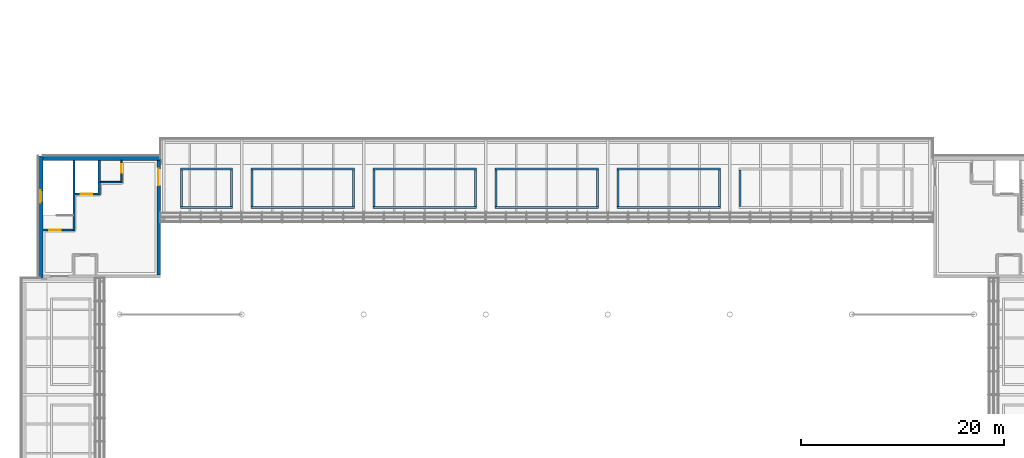
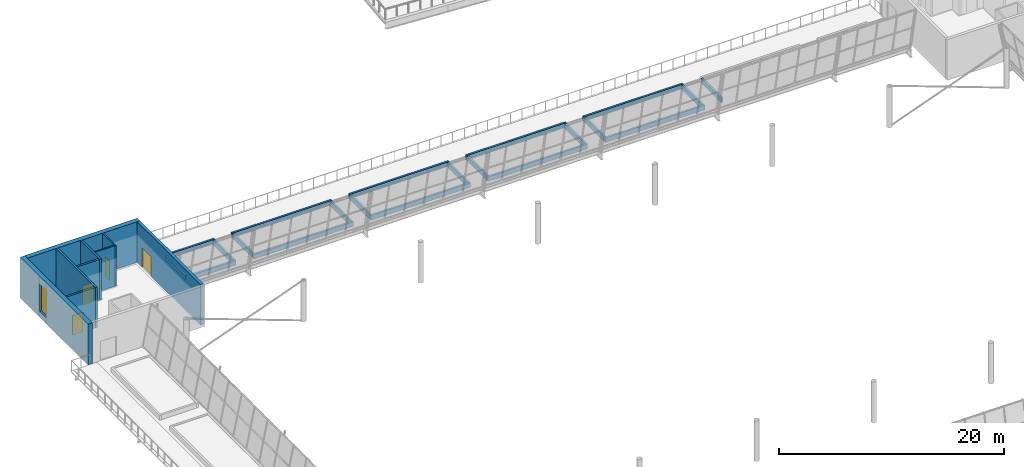
# One storey, part 35 of 58: 30 walls, 4 doors, 1 window, 5 openings.
"""IFC4 building model written with IfcOpenShell, lengths in metres."""

from ifc_helpers import new_model, si_unit, direction, frame, frame_2d, origin, place, context, subcontext, project, spatial, rectangle, extrude, material, layer, layer_set, type_object, element, fill, save


model = new_model("IFC4")

# Units and contexts
model_context = context("Model", 3, precision=1e-05, world=origin(), true_north=direction((0.0, 1.0)))
body_context = subcontext(model_context, "Body", "Model", "MODEL_VIEW")
ifc_project = project(units=[si_unit("LENGTHUNIT", "METRE"), si_unit("AREAUNIT", "SQUARE_METRE"), si_unit("VOLUMEUNIT", "CUBIC_METRE"), si_unit("PLANEANGLEUNIT", "RADIAN"), si_unit("MASSUNIT", "GRAM", prefix="KILO")], contexts=[model_context])

# Site, building, storey
site_placement = place(None, origin())
site = spatial("IfcSite", under=ifc_project, at=site_placement, CompositionType="ELEMENT")
building_placement = place(site_placement, origin())
building = spatial("IfcBuilding", under=site, at=building_placement, Name="Windward Yard Aquatics Centre", CompositionType="ELEMENT")
storey_placement = place(building_placement, frame((0.0, 0.0, 13.800048828125)))
storey = spatial("IfcBuildingStorey", under=building, at=storey_placement, Name="L03", CompositionType="ELEMENT", Elevation=13.800048828125)

# Wall
ifc_material_1 = material(Name="Concrete C35/45", Category="concrete")
ifc_layer_1 = layer(ifc_material_1, 0.199951171875)
ifc_layer_set_1 = layer_set([ifc_layer_1], Name="H Enclosure Wall Concrete C35/45 200")
wall_type_1 = type_object("IfcWallType", Name="H Enclosure Wall Concrete C35/45 200", PredefinedType="SOLIDWALL", material=ifc_layer_set_1)
wall_1_placement = place(storey_placement, frame((55.5, 95.550048828125, 0.0), z_axis=(0.0, 0.0, 1.0), x_axis=(0.0, -1.0, 0.0)))
element("IfcWall", 1, at=wall_1_placement, inside=storey, type_object=wall_type_1, Name="L03 W1 enclosure wall NW", PredefinedType="SOLIDWALL", context=body_context, shape_type="SweptSolid", body=[
    extrude(rectangle(XDim=6.949951171875, YDim=0.199951171875, at=frame_2d((3.47509765625, 0.0))), origin(), (0.0, 0.0, 1.0), 4.39990234375),
])

# Wall, opening, door
wall_2_placement = place(storey_placement, frame((52.449951171875, 88.699951171875, 0.0), z_axis=(0.0, 0.0, 1.0), x_axis=(1.0, 0.0, 0.0)))
wall_2 = element("IfcWall", 2, at=wall_2_placement, inside=storey, type_object=wall_type_1, Name="L03 W2 enclosure wall NW", PredefinedType="SOLIDWALL", context=body_context, shape_type="SweptSolid", body=[
    extrude(rectangle(XDim=2.949951171875, YDim=0.199951171875, at=frame_2d((1.47509765625, 0.0))), origin(), (0.0, 0.0, 1.0), 4.39990234375),
])
opening_1_placement = place(wall_2_placement, frame((0.64990234375, 0.0, 0.0)))
opening_1 = element("IfcOpeningElement", 3, at=opening_1_placement, cuts=wall_2, Name="Opening H3013", PredefinedType="OPENING", context=body_context, shape_type="SweptSolid", body=[
    extrude(rectangle(XDim=1.10009765625, YDim=2.10009765625, at=frame_2d((0.550048828125, 1.050048828125))), frame((0.0, 0.10986328125, 0.0), z_axis=(0.0, -1.0, 0.0), x_axis=(1.0, 0.0, 0.0)), (0.0, 0.0, 1.0), 0.219970703125),
])
ifc_material_2 = material(Name="Steel and timber door leaf", Category="steel")
door_type_1 = type_object("IfcDoorType", Name="H Door Single 1100 x 2100 FD60", OperationType="NOTDEFINED", PredefinedType="DOOR", material=ifc_material_2)
door_1_placement = place(opening_1_placement, origin())
door_1 = element("IfcDoor", 4, at=door_1_placement, inside=storey, type_object=door_type_1, Name="L03 stair NW door", OperationType="SINGLE_SWING_LEFT", OverallHeight=2.10009765625, OverallWidth=1.10009765625, PredefinedType="DOOR", context=body_context, shape_type="SweptSolid", body=[
    extrude(rectangle(XDim=1.10009765625, YDim=2.10009765625, at=frame_2d((0.550048828125, 1.050048828125))), frame((0.0, 0.02490234375, 0.0), z_axis=(0.0, -1.0, 0.0), x_axis=(1.0, 0.0, 0.0)), (0.0, 0.0, 1.0), 0.050048828125),
])
fill(opening_1, door_1)

# Wall
wall_3_placement = place(storey_placement, frame((58.0, 95.550048828125, 0.0), z_axis=(0.0, 0.0, 1.0), x_axis=(0.0, -1.0, 0.0)))
element("IfcWall", 5, at=wall_3_placement, inside=storey, type_object=wall_type_1, Name="L03 W3 enclosure wall NW", PredefinedType="SOLIDWALL", context=body_context, shape_type="SweptSolid", body=[
    extrude(rectangle(XDim=3.400146484375, YDim=0.199951171875, at=frame_2d((1.7001953125, 0.0))), origin(), (0.0, 0.0, 1.0), 4.39990234375),
])

# Wall, opening, door
wall_4_placement = place(storey_placement, frame((55.60009765625, 92.25, 0.0), z_axis=(0.0, 0.0, 1.0), x_axis=(1.0, 0.0, 0.0)))
wall_4 = element("IfcWall", 6, at=wall_4_placement, inside=storey, type_object=wall_type_1, Name="L03 W4 enclosure wall NW", PredefinedType="SOLIDWALL", context=body_context, shape_type="SweptSolid", body=[
    extrude(rectangle(XDim=2.2998046875, YDim=0.199951171875, at=frame_2d((1.14990234375, 0.0))), origin(), (0.0, 0.0, 1.0), 4.39990234375),
])
opening_2_placement = place(wall_4_placement, frame((0.60009765625, 0.0, 0.0)))
opening_2 = element("IfcOpeningElement", 7, at=opening_2_placement, cuts=wall_4, Name="Opening H3014", PredefinedType="OPENING", context=body_context, shape_type="SweptSolid", body=[
    extrude(rectangle(XDim=1.10009765625, YDim=2.10009765625, at=frame_2d((0.550048828125, 1.050048828125))), frame((0.0, 0.10986328125, 0.0), z_axis=(0.0, -1.0, 0.0), x_axis=(1.0, 0.0, 0.0)), (0.0, 0.0, 1.0), 0.219970703125),
])
ifc_material_3 = material(Name="Stainless steel 1.4301", Category="steel")
door_type_2 = type_object("IfcDoorType", Name="H Lift Landing Door 1100 x 2100", OperationType="DOUBLE_DOOR_SLIDING", PredefinedType="DOOR", material=ifc_material_3)
door_2_placement = place(opening_2_placement, origin())
door_2 = element("IfcDoor", 8, at=door_2_placement, inside=storey, type_object=door_type_2, Name="Lift NW landing door L03", OperationType="DOUBLE_DOOR_SLIDING", OverallHeight=2.10009765625, OverallWidth=1.10009765625, PredefinedType="DOOR", context=body_context, shape_type="SweptSolid", body=[
    extrude(rectangle(XDim=1.10009765625, YDim=2.10009765625, at=frame_2d((0.550048828125, 1.050048828125))), frame((0.0, 0.02490234375, 0.0), z_axis=(0.0, -1.0, 0.0), x_axis=(1.0, 0.0, 0.0)), (0.0, 0.0, 1.0), 0.050048828125),
])
fill(opening_2, door_2)

# Wall
ifc_material_4 = material(Name="Blockwork 150 mm", Category="masonry")
ifc_layer_2 = layer(ifc_material_4, 0.14990234375)
ifc_layer_set_2 = layer_set([ifc_layer_2], Name="H Partition Blockwork 150")
wall_type_2 = type_object("IfcWallType", Name="H Partition Blockwork 150", PredefinedType="PARTITIONING", material=ifc_layer_set_2)
wall_5_placement = place(storey_placement, frame((58.10009765625, 93.39990234375, 0.0), z_axis=(0.0, 0.0, 1.0), x_axis=(1.0, 0.0, 0.0)))
element("IfcWall", 9, at=wall_5_placement, inside=storey, type_object=wall_type_2, Name="L03 R1N riser wall NW", PredefinedType="PARTITIONING", context=body_context, shape_type="SweptSolid", body=[
    extrude(rectangle(XDim=2.02490234375, YDim=0.14990234375, at=frame_2d((1.012451171875, 0.0))), origin(), (0.0, 0.0, 1.0), 4.39990234375),
])

# Wall, opening, door
wall_6_placement = place(storey_placement, frame((60.199951171875, 95.550048828125, 0.0), z_axis=(0.0, 0.0, 1.0), x_axis=(0.0, -1.0, 0.0)))
wall_6 = element("IfcWall", 10, at=wall_6_placement, inside=storey, type_object=wall_type_2, Name="L03 R1E riser wall NW", PredefinedType="PARTITIONING", context=body_context, shape_type="SweptSolid", body=[
    extrude(rectangle(XDim=2.22509765625, YDim=0.14990234375, at=frame_2d((1.112548828125, 0.0))), origin(), (0.0, 0.0, 1.0), 4.39990234375),
])
opening_3_placement = place(wall_6_placement, frame((0.39990234375, 0.0, 0.0)))
opening_3 = element("IfcOpeningElement", 11, at=opening_3_placement, cuts=wall_6, Name="Opening H3015", PredefinedType="OPENING", context=body_context, shape_type="SweptSolid", body=[
    extrude(rectangle(XDim=0.800048828125, YDim=2.10009765625, at=frame_2d((0.39990234375, 1.050048828125))), frame((0.0, 0.0849609375, 0.0), z_axis=(0.0, -1.0, 0.0), x_axis=(1.0, 0.0, 0.0)), (0.0, 0.0, 1.0), 0.169921875),
])
door_type_3 = type_object("IfcDoorType", Name="H Door Riser 800 x 2100 FD60", OperationType="NOTDEFINED", PredefinedType="DOOR", material=ifc_material_2)
door_3_placement = place(opening_3_placement, origin())
door_3 = element("IfcDoor", 12, at=door_3_placement, inside=storey, type_object=door_type_3, Name="L03 electrical riser NW door", OperationType="SINGLE_SWING_RIGHT", OverallHeight=2.10009765625, OverallWidth=0.800048828125, PredefinedType="DOOR", context=body_context, shape_type="SweptSolid", body=[
    extrude(rectangle(XDim=0.800048828125, YDim=2.10009765625, at=frame_2d((0.39990234375, 1.050048828125))), frame((0.0, 0.02490234375, 0.0), z_axis=(0.0, -1.0, 0.0), x_axis=(1.0, 0.0, 0.0)), (0.0, 0.0, 1.0), 0.050048828125),
])
fill(opening_3, door_3)

# Walls
ifc_layer_3 = layer(ifc_material_1, 0.199951171875)
ifc_layer_set_3 = layer_set([ifc_layer_3], Name="H planter kerb wall 200 C35/45")
wall_type_3 = type_object("IfcWallType", Name="H planter kerb wall 200 C35/45", PredefinedType="PARAPET", material=ifc_layer_set_3)
for number, where, z_axis, x_axis, name in (
    (13, (66.0, 94.699951171875, 0.0), (0.0, 0.0, 1.0), (1.0, 0.0, 0.0), "Planting bed T1 N1 kerb S"),
    (14, (66.0, 90.89990234375, 0.0), (0.0, 0.0, 1.0), (1.0, 0.0, 0.0), "Planting bed T1 N1 kerb N"),
):
    element("IfcWall", number, at=place(storey_placement, frame(where, z_axis=z_axis, x_axis=x_axis)), inside=storey, type_object=wall_type_3, Name=name, PredefinedType="PARAPET", context=body_context, shape_type="SweptSolid", body=[
        extrude(rectangle(XDim=5.10009765625, YDim=0.199951171875, at=frame_2d((2.550048828125, 0.0))), origin(), (0.0, 0.0, 1.0), 0.5),
    ])
for number, where, z_axis, x_axis, name in (
    (15, (66.10009765625, 94.60009765625, 0.0), (0.0, 0.0, 1.0), (0.0, -1.0, 0.0), "Planting bed T1 N1 kerb W"),
    (16, (71.0, 94.60009765625, 0.0), (0.0, 0.0, 1.0), (0.0, -1.0, 0.0), "Planting bed T1 N1 kerb E"),
):
    element("IfcWall", number, at=place(storey_placement, frame(where, z_axis=z_axis, x_axis=x_axis)), inside=storey, type_object=wall_type_3, Name=name, PredefinedType="PARAPET", context=body_context, shape_type="SweptSolid", body=[
        extrude(rectangle(XDim=3.60009765625, YDim=0.199951171875, at=frame_2d((1.800048828125, 0.0))), origin(), (0.0, 0.0, 1.0), 0.5),
    ])
for number, where, z_axis, x_axis, name in (
    (17, (72.89990234375, 94.699951171875, 0.0), (0.0, 0.0, 1.0), (1.0, 0.0, 0.0), "Planting bed T1 N2 kerb S"),
    (18, (72.89990234375, 90.89990234375, 0.0), (0.0, 0.0, 1.0), (1.0, 0.0, 0.0), "Planting bed T1 N2 kerb N"),
):
    element("IfcWall", number, at=place(storey_placement, frame(where, z_axis=z_axis, x_axis=x_axis)), inside=storey, type_object=wall_type_3, Name=name, PredefinedType="PARAPET", context=body_context, shape_type="SweptSolid", body=[
        extrude(rectangle(XDim=10.2001953125, YDim=0.199951171875, at=frame_2d((5.10009765625, 0.0))), origin(), (0.0, 0.0, 1.0), 0.5),
    ])
for number, where, z_axis, x_axis, name in (
    (19, (73.0, 94.60009765625, 0.0), (0.0, 0.0, 1.0), (0.0, -1.0, 0.0), "Planting bed T1 N2 kerb W"),
    (20, (83.0, 94.60009765625, 0.0), (0.0, 0.0, 1.0), (0.0, -1.0, 0.0), "Planting bed T1 N2 kerb E"),
):
    element("IfcWall", number, at=place(storey_placement, frame(where, z_axis=z_axis, x_axis=x_axis)), inside=storey, type_object=wall_type_3, Name=name, PredefinedType="PARAPET", context=body_context, shape_type="SweptSolid", body=[
        extrude(rectangle(XDim=3.60009765625, YDim=0.199951171875, at=frame_2d((1.800048828125, 0.0))), origin(), (0.0, 0.0, 1.0), 0.5),
    ])
for number, where, z_axis, x_axis, name in (
    (21, (84.89990234375, 94.699951171875, 0.0), (0.0, 0.0, 1.0), (1.0, 0.0, 0.0), "Planting bed T1 N3 kerb S"),
    (22, (84.89990234375, 90.89990234375, 0.0), (0.0, 0.0, 1.0), (1.0, 0.0, 0.0), "Planting bed T1 N3 kerb N"),
):
    element("IfcWall", number, at=place(storey_placement, frame(where, z_axis=z_axis, x_axis=x_axis)), inside=storey, type_object=wall_type_3, Name=name, PredefinedType="PARAPET", context=body_context, shape_type="SweptSolid", body=[
        extrude(rectangle(XDim=10.2001953125, YDim=0.199951171875, at=frame_2d((5.10009765625, 0.0))), origin(), (0.0, 0.0, 1.0), 0.5),
    ])
for number, where, z_axis, x_axis, name in (
    (23, (85.0, 94.60009765625, 0.0), (0.0, 0.0, 1.0), (0.0, -1.0, 0.0), "Planting bed T1 N3 kerb W"),
    (24, (95.0, 94.60009765625, 0.0), (0.0, 0.0, 1.0), (0.0, -1.0, 0.0), "Planting bed T1 N3 kerb E"),
):
    element("IfcWall", number, at=place(storey_placement, frame(where, z_axis=z_axis, x_axis=x_axis)), inside=storey, type_object=wall_type_3, Name=name, PredefinedType="PARAPET", context=body_context, shape_type="SweptSolid", body=[
        extrude(rectangle(XDim=3.60009765625, YDim=0.199951171875, at=frame_2d((1.800048828125, 0.0))), origin(), (0.0, 0.0, 1.0), 0.5),
    ])
for number, where, z_axis, x_axis, name in (
    (25, (96.89990234375, 94.699951171875, 0.0), (0.0, 0.0, 1.0), (1.0, 0.0, 0.0), "Planting bed T1 N4 kerb S"),
    (26, (96.89990234375, 90.89990234375, 0.0), (0.0, 0.0, 1.0), (1.0, 0.0, 0.0), "Planting bed T1 N4 kerb N"),
):
    element("IfcWall", number, at=place(storey_placement, frame(where, z_axis=z_axis, x_axis=x_axis)), inside=storey, type_object=wall_type_3, Name=name, PredefinedType="PARAPET", context=body_context, shape_type="SweptSolid", body=[
        extrude(rectangle(XDim=10.2001953125, YDim=0.199951171875, at=frame_2d((5.10009765625, 0.0))), origin(), (0.0, 0.0, 1.0), 0.5),
    ])
for number, where, z_axis, x_axis, name in (
    (27, (97.0, 94.60009765625, 0.0), (0.0, 0.0, 1.0), (0.0, -1.0, 0.0), "Planting bed T1 N4 kerb W"),
    (28, (107.0, 94.60009765625, 0.0), (0.0, 0.0, 1.0), (0.0, -1.0, 0.0), "Planting bed T1 N4 kerb E"),
):
    element("IfcWall", number, at=place(storey_placement, frame(where, z_axis=z_axis, x_axis=x_axis)), inside=storey, type_object=wall_type_3, Name=name, PredefinedType="PARAPET", context=body_context, shape_type="SweptSolid", body=[
        extrude(rectangle(XDim=3.60009765625, YDim=0.199951171875, at=frame_2d((1.800048828125, 0.0))), origin(), (0.0, 0.0, 1.0), 0.5),
    ])
for number, where, z_axis, x_axis, name in (
    (29, (108.89990234375, 94.699951171875, 0.0), (0.0, 0.0, 1.0), (1.0, 0.0, 0.0), "Planting bed T1 N5 kerb S"),
    (30, (108.89990234375, 90.89990234375, 0.0), (0.0, 0.0, 1.0), (1.0, 0.0, 0.0), "Planting bed T1 N5 kerb N"),
):
    element("IfcWall", number, at=place(storey_placement, frame(where, z_axis=z_axis, x_axis=x_axis)), inside=storey, type_object=wall_type_3, Name=name, PredefinedType="PARAPET", context=body_context, shape_type="SweptSolid", body=[
        extrude(rectangle(XDim=10.2001953125, YDim=0.199951171875, at=frame_2d((5.10009765625, 0.0))), origin(), (0.0, 0.0, 1.0), 0.5),
    ])
for number, where, z_axis, x_axis, name in (
    (31, (109.0, 94.60009765625, 0.0), (0.0, 0.0, 1.0), (0.0, -1.0, 0.0), "Planting bed T1 N5 kerb W"),
    (32, (119.0, 94.60009765625, 0.0), (0.0, 0.0, 1.0), (0.0, -1.0, 0.0), "Planting bed T1 N5 kerb E"),
    (33, (121.0, 94.60009765625, 0.0), (0.0, 0.0, 1.0), (0.0, -1.0, 0.0), "Planting bed T1 N6 kerb W"),
):
    element("IfcWall", number, at=place(storey_placement, frame(where, z_axis=z_axis, x_axis=x_axis)), inside=storey, type_object=wall_type_3, Name=name, PredefinedType="PARAPET", context=body_context, shape_type="SweptSolid", body=[
        extrude(rectangle(XDim=3.60009765625, YDim=0.199951171875, at=frame_2d((1.800048828125, 0.0))), origin(), (0.0, 0.0, 1.0), 0.5),
    ])

# Wall, opening, window
ifc_material_5 = material(Name="Natural stone cladding", Category="masonry")
ifc_layer_4 = layer(ifc_material_5, 0.04, Name="Cladding")
ifc_material_6 = material(Name="Ventilated air cavity")
ifc_layer_5 = layer(ifc_material_6, 0.05, ventilated=True, Name="Ventilated cavity")
ifc_material_7 = material(Name="Mineral wool insulation")
ifc_layer_6 = layer(ifc_material_7, 0.08, Name="Insulation")
ifc_layer_7 = layer(ifc_material_1, 0.28, Name="Structure")
ifc_layer_set_4 = layer_set([ifc_layer_4, ifc_layer_5, ifc_layer_6, ifc_layer_7], Name="H plinth wall stone faced 450 C35/45")
wall_type_4 = type_object("IfcWallType", Name="H plinth wall stone faced 450 C35/45", PredefinedType="ELEMENTEDWALL", material=ifc_layer_set_4)
wall_7_placement = place(storey_placement, frame((52.22509765625, 96.0, 0.0), z_axis=(0.0, 0.0, 1.0), x_axis=(0.0, -1.0, 0.0)))
wall_7 = element("IfcWall", 34, at=wall_7_placement, inside=storey, type_object=wall_type_4, Name="H.CW.NW.W.L03", PredefinedType="ELEMENTEDWALL", context=body_context, shape_type="SweptSolid", body=[
    extrude(rectangle(XDim=12.0, YDim=0.449951171875, at=frame_2d((6.0, 0.0))), origin(), (0.0, 0.0, 1.0), 4.39990234375),
])
opening_4_placement = place(wall_7_placement, frame((3.39990234375, 0.0, 0.60009765625)))
opening_4 = element("IfcOpeningElement", 35, at=opening_4_placement, cuts=wall_7, Name="Opening W3025", PredefinedType="OPENING", context=body_context, shape_type="SweptSolid", body=[
    extrude(rectangle(XDim=1.199951171875, YDim=3.0, at=frame_2d((0.60009765625, 1.5))), frame((0.0, 0.23486328125, 0.0), z_axis=(0.0, -1.0, 0.0), x_axis=(1.0, 0.0, 0.0)), (0.0, 0.0, 1.0), 0.469970703125),
])
ifc_material_8 = material(Name="Fire-resisting glazing in steel frame", Category="steel")
window_type = type_object("IfcWindowType", Name="H Core Stair Window 1200 x 3000 EI 60", PartitioningType="SINGLE_PANEL", PredefinedType="WINDOW", material=ifc_material_8)
window_placement = place(opening_4_placement, origin())
window = element("IfcWindow", 36, at=window_placement, inside=storey, type_object=window_type, Name="L03 core NW stair window", OverallHeight=3.0, OverallWidth=1.199951171875, PartitioningType="SINGLE_PANEL", PredefinedType="WINDOW", context=body_context, shape_type="SweptSolid", body=[
    extrude(rectangle(XDim=1.199951171875, YDim=3.0, at=frame_2d((0.60009765625, 1.5))), frame((0.0, 0.030029296875, 0.0), z_axis=(0.0, -1.0, 0.0), x_axis=(1.0, 0.0, 0.0)), (0.0, 0.0, 1.0), 0.06005859375),
])
fill(opening_4, window)

# Wall
wall_8_placement = place(storey_placement, frame((52.449951171875, 95.77490234375, 0.0), z_axis=(0.0, 0.0, 1.0), x_axis=(1.0, 0.0, 0.0)))
element("IfcWall", 37, at=wall_8_placement, inside=storey, type_object=wall_type_4, Name="H.CW.NW.N.L03", PredefinedType="ELEMENTEDWALL", context=body_context, shape_type="SweptSolid", body=[
    extrude(rectangle(XDim=11.550048828125, YDim=0.449951171875, at=frame_2d((5.77490234375, 0.0))), origin(), (0.0, 0.0, 1.0), 4.39990234375),
])

# Wall, opening, door
ifc_layer_8 = layer(ifc_material_1, 0.300048828125)
ifc_layer_set_5 = layer_set([ifc_layer_8], Name="H rear wall 300 C35/45")
wall_type_5 = type_object("IfcWallType", Name="H rear wall 300 C35/45", PredefinedType="SOLIDWALL", material=ifc_layer_set_5)
wall_9_placement = place(storey_placement, frame((63.85009765625, 95.550048828125, 0.0), z_axis=(0.0, 0.0, 1.0), x_axis=(0.0, -1.0, 0.0)))
wall_9 = element("IfcWall", 38, at=wall_9_placement, inside=storey, type_object=wall_type_5, Name="H.CW.NW.E.L03", PredefinedType="SOLIDWALL", context=body_context, shape_type="SweptSolid", body=[
    extrude(rectangle(XDim=11.25, YDim=0.300048828125, at=frame_2d((5.625, 0.0))), origin(), (0.0, 0.0, 1.0), 4.39990234375),
])
opening_5_placement = place(wall_9_placement, frame((0.85009765625, 0.0, 0.0)))
opening_5 = element("IfcOpeningElement", 39, at=opening_5_placement, cuts=wall_9, Name="Opening H3017", PredefinedType="OPENING", context=body_context, shape_type="SweptSolid", body=[
    extrude(rectangle(XDim=1.60009765625, YDim=2.10009765625, at=frame_2d((0.800048828125, 1.050048828125))), frame((0.0, 0.16015625, 0.0), z_axis=(0.0, -1.0, 0.0), x_axis=(1.0, 0.0, 0.0)), (0.0, 0.0, 1.0), 0.320068359375),
])
door_type_4 = type_object("IfcDoorType", Name="H Door Double 1600 x 2100 FD60", OperationType="DOUBLE_DOOR_SINGLE_SWING", PredefinedType="DOOR", material=ifc_material_2)
door_4_placement = place(opening_5_placement, origin())
door_4 = element("IfcDoor", 40, at=door_4_placement, inside=storey, type_object=door_type_4, Name="L03 core NW door to strip", OperationType="DOUBLE_DOOR_SINGLE_SWING", OverallHeight=2.10009765625, OverallWidth=1.60009765625, PredefinedType="DOOR", context=body_context, shape_type="SweptSolid", body=[
    extrude(rectangle(XDim=1.60009765625, YDim=2.10009765625, at=frame_2d((0.800048828125, 1.050048828125))), frame((0.0, 0.02490234375, 0.0), z_axis=(0.0, -1.0, 0.0), x_axis=(1.0, 0.0, 0.0)), (0.0, 0.0, 1.0), 0.050048828125),
])
fill(opening_5, door_4)

save(model, "model.ifc")
